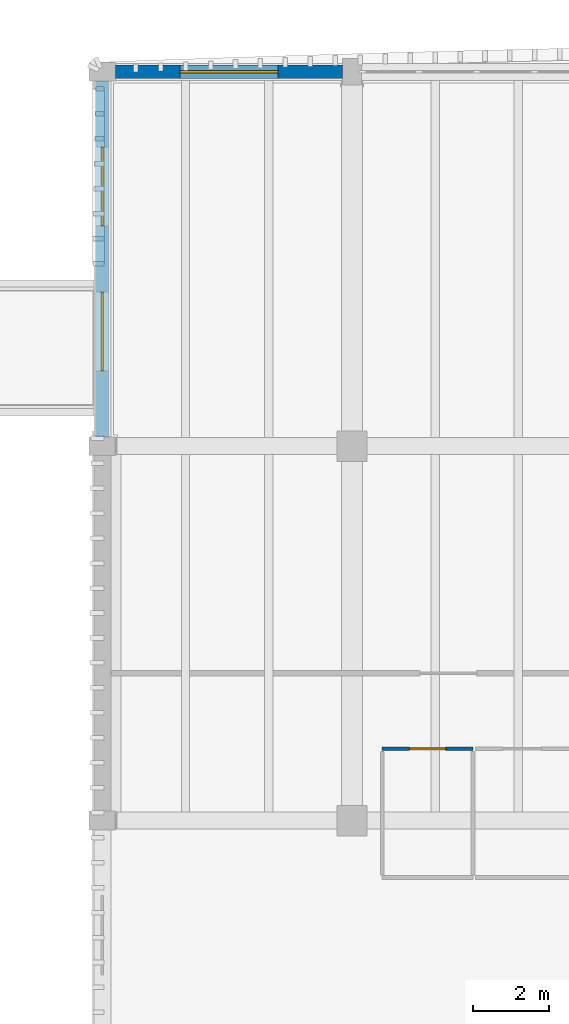
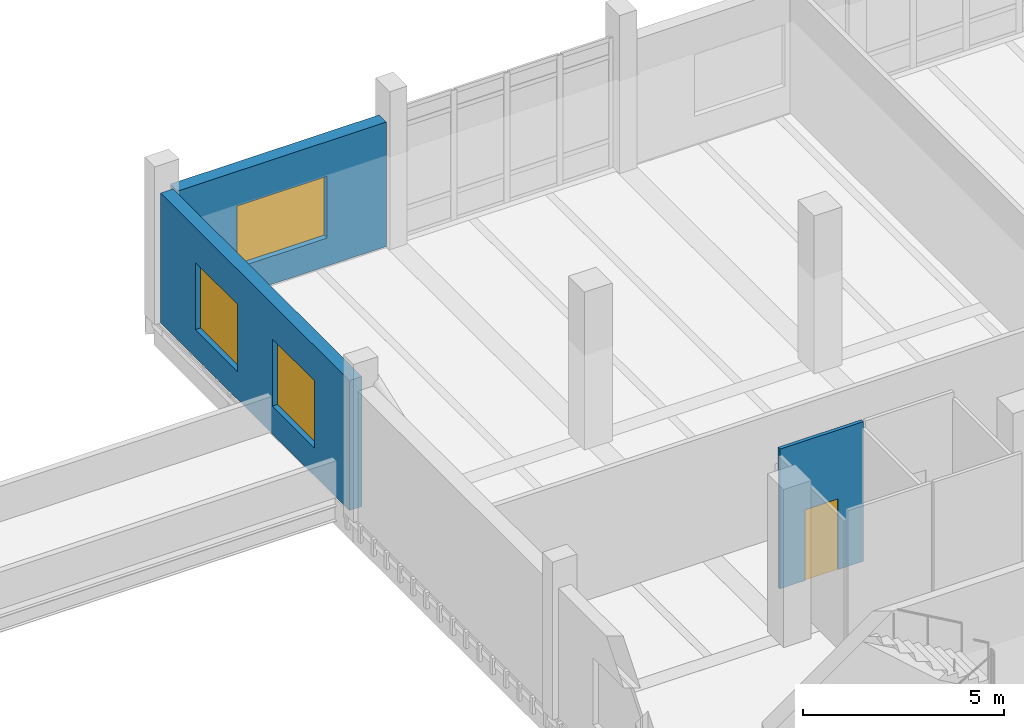
# One storey, part 74 of 101: 3 walls, 3 windows, 1 door, 4 openings.
"""IFC4 building model written with IfcOpenShell, lengths in metres."""

from ifc_helpers import new_model, si_unit, direction, frame, frame_2d, origin, place, context, subcontext, project, spatial, rectangle, extrude, material, layer, layer_set, type_object, element, fill, save


model = new_model("IFC4")

# Units and contexts
model_context = context("Model", 3, precision=1e-05, world=origin(), true_north=direction((0.0, 1.0)))
body_context = subcontext(model_context, "Body", "Model", "MODEL_VIEW")
ifc_project = project(units=[si_unit("LENGTHUNIT", "METRE"), si_unit("AREAUNIT", "SQUARE_METRE"), si_unit("VOLUMEUNIT", "CUBIC_METRE"), si_unit("PLANEANGLEUNIT", "RADIAN"), si_unit("MASSUNIT", "GRAM", prefix="KILO")], contexts=[model_context])

# Site, building, storey
site_placement = place(None, origin())
site = spatial("IfcSite", under=ifc_project, at=site_placement, CompositionType="ELEMENT")
building_placement = place(site_placement, origin())
building = spatial("IfcBuilding", under=site, at=building_placement, Name="Dornvale Research Institute", CompositionType="ELEMENT")
storey_placement = place(building_placement, frame((0.0, 0.0, 10.199951171875)))
storey = spatial("IfcBuildingStorey", under=building, at=storey_placement, Name="L02", CompositionType="ELEMENT", Elevation=10.199951171875)

# Wall, opening, door
ifc_material_1 = material(Name="Acoustic Insulated Double-Stud Laboratory Partition")
ifc_layer_1 = layer(ifc_material_1, 0.10009765625)
ifc_layer_set_1 = layer_set([ifc_layer_1], Name="Acoustic Insulated Double-Stud Laboratory Partition")
wall_type_1 = type_object("IfcWallType", Name="Partition_Office_100", PredefinedType="PARTITIONING", material=ifc_layer_set_1)
wall_1_placement = place(storey_placement, frame((126.199951171875, 104.199951171875, 0.0), z_axis=(0.0, 0.0, 1.0), x_axis=(1.0, 0.0, 0.0)))
wall_1 = element("IfcWall", 1, at=wall_1_placement, inside=storey, type_object=wall_type_1, Name="L02 V4 interior partition #267", PredefinedType="PARTITIONING", context=body_context, shape_type="SweptSolid", body=[
    extrude(rectangle(XDim=2.400146484375, YDim=0.10009765625, at=frame_2d((1.2001953125, 0.0))), origin(), (0.0, 0.0, 1.0), 4.2451171875),
])
opening_1_placement = place(wall_1_placement, frame((0.72509765625, 0.0, 0.0)))
opening_1 = element("IfcOpeningElement", 2, at=opening_1_placement, cuts=wall_1, Name="Opening ID-23", PredefinedType="OPENING", context=body_context, shape_type="SweptSolid", body=[
    extrude(rectangle(XDim=0.949951171875, YDim=2.14990234375, at=frame_2d((0.47509765625, 1.074951171875))), frame((0.0, 0.06494140625, 0.0), z_axis=(0.0, -1.0, 0.0), x_axis=(1.0, 0.0, 0.0)), (0.0, 0.0, 1.0), 0.130126953125),
])
ifc_material_2 = material(Name="Phenolic-Faced Solid-Core Laboratory Door Assembly")
door_type = type_object("IfcDoorType", Name="Door_WC_950x2150", OperationType="SINGLE_SWING_LEFT", PredefinedType="DOOR", material=ifc_material_2)
door_placement = place(opening_1_placement, origin())
door = element("IfcDoor", 3, at=door_placement, inside=storey, type_object=door_type, Name="L02 Wet Wing Male Restroom L02 door #109", OperationType="SINGLE_SWING_RIGHT", OverallHeight=2.14990234375, OverallWidth=0.949951171875, PredefinedType="DOOR", context=body_context, shape_type="SweptSolid", body=[
    extrude(rectangle(XDim=0.949951171875, YDim=2.14990234375, at=frame_2d((0.47509765625, 1.074951171875))), frame((0.0, 0.02490234375, 0.0), z_axis=(0.0, -1.0, 0.0), x_axis=(1.0, 0.0, 0.0)), (0.0, 0.0, 1.0), 0.050048828125),
])
fill(opening_1, door)

# Wall, openings, windows
ifc_material_3 = material(Name="Catalan Pressed Brick and Insulated Cavity Assembly", Category="masonry")
ifc_layer_2 = layer(ifc_material_3, 0.360107421875)
ifc_layer_set_2 = layer_set([ifc_layer_2], Name="Catalan Pressed Brick and Insulated Cavity Assembly")
wall_type_2 = type_object("IfcWallType", Name="StandardWall_BrickCavity_360", PredefinedType="STANDARD", material=ifc_layer_set_2)
wall_2_placement = place(storey_placement, frame((118.800048828125, 112.449951171875, 0.0), z_axis=(0.0, 0.0, 1.0), x_axis=(0.0, 1.0, 0.0)))
wall_2 = element("IfcWall", 4, at=wall_2_placement, inside=storey, type_object=wall_type_2, Name="L02 V4 west exterior wall #218", PredefinedType="STANDARD", context=body_context, shape_type="SweptSolid", body=[
    extrude(rectangle(XDim=9.400146484375, YDim=0.360107421875, at=frame_2d((4.7001953125, 0.0))), origin(), (0.0, 0.0, 1.0), 3.949951171875),
])
opening_2_placement = place(wall_2_placement, frame((1.7333984375, 0.0, 0.85009765625)))
opening_2 = element("IfcOpeningElement", 5, at=opening_2_placement, cuts=wall_2, Name="Opening W-31", PredefinedType="OPENING", context=body_context, shape_type="SweptSolid", body=[
    extrude(rectangle(XDim=2.10009765625, YDim=2.0400390625, at=frame_2d((1.050048828125, 1.02001953125))), frame((0.0, 0.195068359375, 0.0), z_axis=(0.0, -1.0, 0.0), x_axis=(1.0, 0.0, 0.0)), (0.0, 0.0, 1.0), 0.39013671875),
])
opening_3_placement = place(wall_2_placement, frame((5.566650390625, 0.0, 0.85009765625)))
opening_3 = element("IfcOpeningElement", 6, at=opening_3_placement, cuts=wall_2, Name="Opening W-31", PredefinedType="OPENING", context=body_context, shape_type="SweptSolid", body=[
    extrude(rectangle(XDim=2.10009765625, YDim=2.0400390625, at=frame_2d((1.050048828125, 1.02001953125))), frame((0.0, 0.195068359375, 0.0), z_axis=(0.0, -1.0, 0.0), x_axis=(1.0, 0.0, 0.0)), (0.0, 0.0, 1.0), 0.39013671875),
])
ifc_material_4 = material(Name="Low-E Argon Double Insulating Glazing Unit", Category="glass")
window_type_1 = type_object("IfcWindowType", Name="Window_Alu_2100x2040_31", PartitioningType="DOUBLE_PANEL_VERTICAL", PredefinedType="WINDOW", material=ifc_material_4)
window_1_placement = place(opening_2_placement, origin())
window_1 = element("IfcWindow", 7, at=window_1_placement, inside=storey, type_object=window_type_1, Name="L02 V4 facade window W-31 #290", OverallHeight=2.0400390625, OverallWidth=2.10009765625, PartitioningType="DOUBLE_PANEL_VERTICAL", PredefinedType="WINDOW", context=body_context, shape_type="SweptSolid", body=[
    extrude(rectangle(XDim=2.10009765625, YDim=2.0400390625, at=frame_2d((1.050048828125, 1.02001953125))), frame((0.0, 0.030029296875, 0.0), z_axis=(0.0, -1.0, 0.0), x_axis=(1.0, 0.0, 0.0)), (0.0, 0.0, 1.0), 0.06005859375),
])
fill(opening_2, window_1)
window_2_placement = place(opening_3_placement, origin())
window_2 = element("IfcWindow", 8, at=window_2_placement, inside=storey, type_object=window_type_1, Name="L02 V4 facade window W-31 #291", OverallHeight=2.0400390625, OverallWidth=2.10009765625, PartitioningType="DOUBLE_PANEL_VERTICAL", PredefinedType="WINDOW", context=body_context, shape_type="SweptSolid", body=[
    extrude(rectangle(XDim=2.10009765625, YDim=2.0400390625, at=frame_2d((1.050048828125, 1.02001953125))), frame((0.0, 0.030029296875, 0.0), z_axis=(0.0, -1.0, 0.0), x_axis=(1.0, 0.0, 0.0)), (0.0, 0.0, 1.0), 0.06005859375),
])
fill(opening_3, window_2)

# Wall, opening, window
wall_3_placement = place(storey_placement, frame((119.14990234375, 122.10009765625, 0.0), z_axis=(0.0, 0.0, 1.0), x_axis=(1.0, 0.0, 0.0)))
wall_3 = element("IfcWall", 9, at=wall_3_placement, inside=storey, type_object=wall_type_2, Name="L02 V4 north exterior wall #219", PredefinedType="STANDARD", context=body_context, shape_type="SweptSolid", body=[
    extrude(rectangle(XDim=6.0, YDim=0.360107421875, at=frame_2d((3.0, 0.0))), origin(), (0.0, 0.0, 1.0), 3.780029296875),
])
opening_4_placement = place(wall_3_placement, frame((1.699951171875, 0.0, 0.85009765625)))
opening_4 = element("IfcOpeningElement", 10, at=opening_4_placement, cuts=wall_3, Name="Opening W-34", PredefinedType="OPENING", context=body_context, shape_type="SweptSolid", body=[
    extrude(rectangle(XDim=2.60009765625, YDim=1.8798828125, at=frame_2d((1.300048828125, 0.93994140625))), frame((0.0, 0.195068359375, 0.0), z_axis=(0.0, -1.0, 0.0), x_axis=(1.0, 0.0, 0.0)), (0.0, 0.0, 1.0), 0.39013671875),
])
ifc_material_5 = material(Name="Low-E Argon Double Insulating Glazing Unit", Category="glass")
window_type_2 = type_object("IfcWindowType", Name="Window_Alu_2600x1880_34", PartitioningType="DOUBLE_PANEL_VERTICAL", PredefinedType="WINDOW", material=ifc_material_5)
window_3_placement = place(opening_4_placement, origin())
window_3 = element("IfcWindow", 11, at=window_3_placement, inside=storey, type_object=window_type_2, Name="L02 V4 facade window W-34 #292", OverallHeight=1.8798828125, OverallWidth=2.60009765625, PartitioningType="DOUBLE_PANEL_VERTICAL", PredefinedType="WINDOW", context=body_context, shape_type="SweptSolid", body=[
    extrude(rectangle(XDim=2.60009765625, YDim=1.8798828125, at=frame_2d((1.300048828125, 0.93994140625))), frame((0.0, 0.030029296875, 0.0), z_axis=(0.0, -1.0, 0.0), x_axis=(1.0, 0.0, 0.0)), (0.0, 0.0, 1.0), 0.06005859375),
])
fill(opening_4, window_3)

save(model, "model.ifc")
